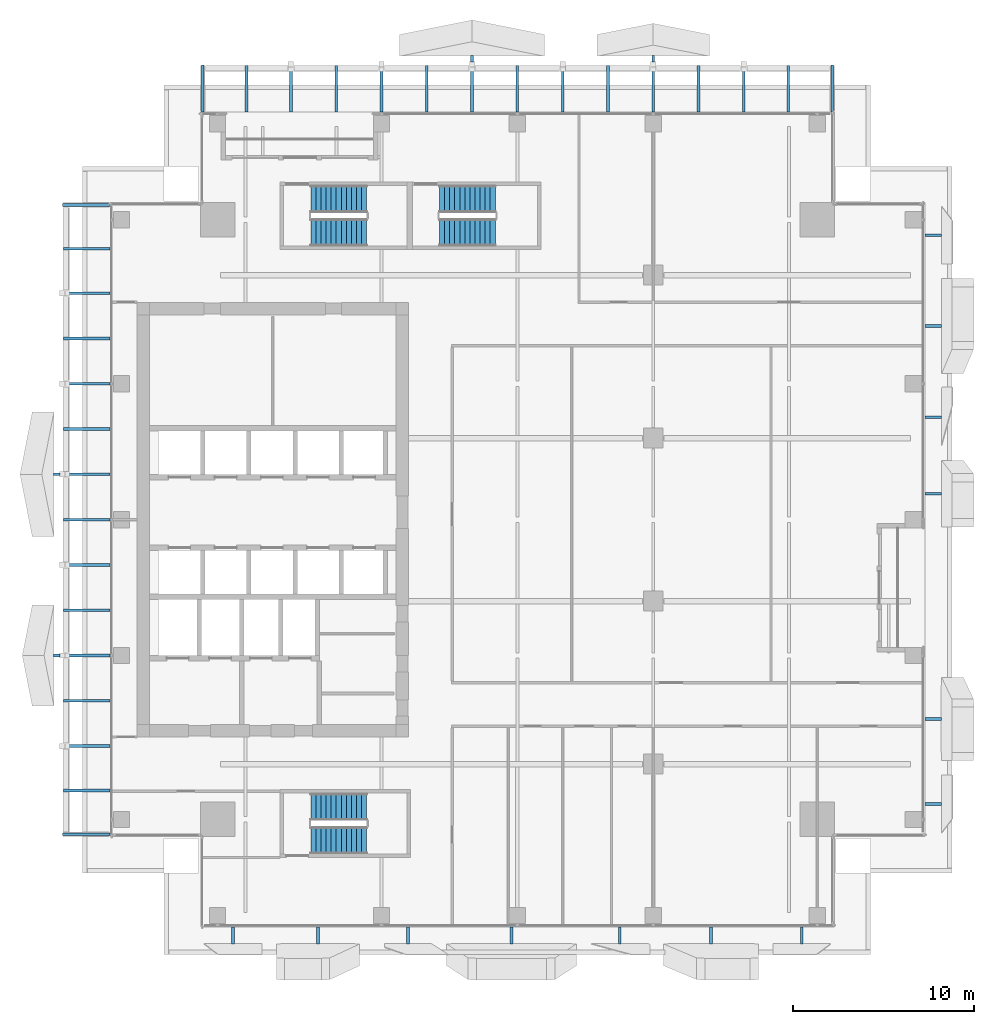
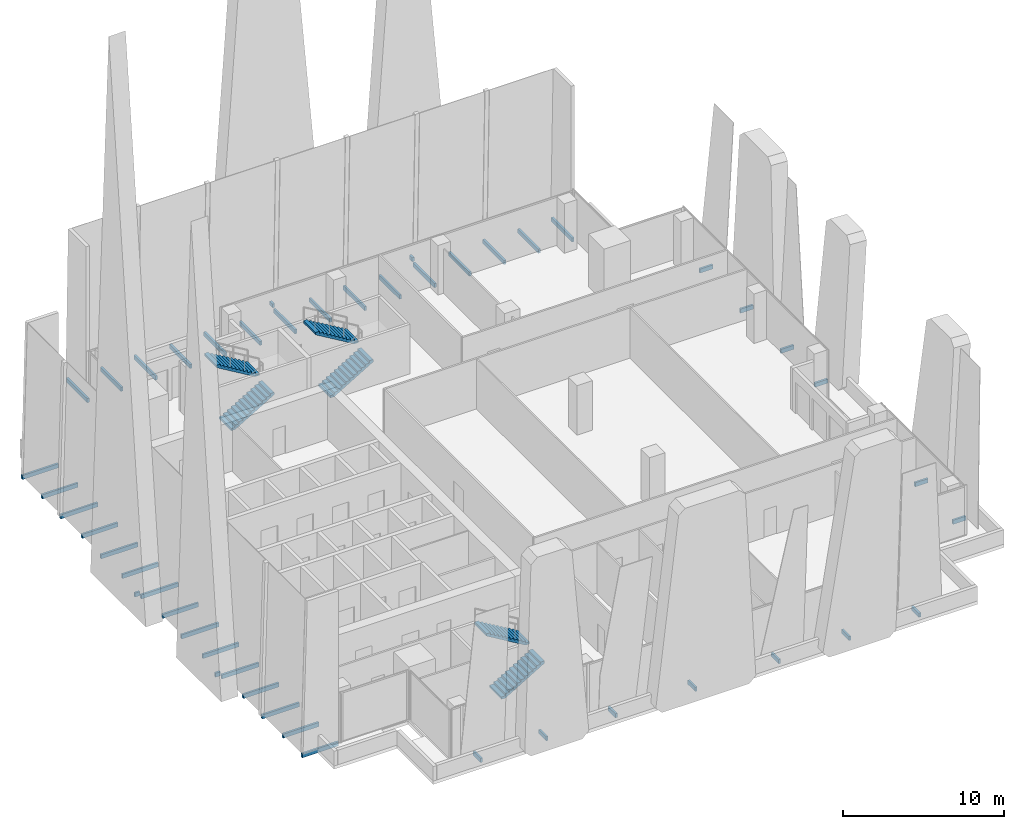
# One storey, part 29 of 33: 47 discrete accessories, 6 stair flights, 3 elements without a shape of their own.
"""IFC4 building model written with IfcOpenShell, lengths in metres."""

from ifc_helpers import new_model, si_unit, direction, frame, origin, origin_2d, place, context, subcontext, project, spatial, polyline, rectangle, outline, extrude, source, transform, mapped, material, type_object, element, aggregate, save


model = new_model("IFC4")

# Units and contexts
model_context = context("Model", 3, precision=1e-05, world=origin(), true_north=direction((0.0, 1.0)))
body_context = subcontext(model_context, "Body", "Model", "MODEL_VIEW")
ifc_project = project(units=[si_unit("LENGTHUNIT", "METRE"), si_unit("AREAUNIT", "SQUARE_METRE"), si_unit("VOLUMEUNIT", "CUBIC_METRE"), si_unit("PLANEANGLEUNIT", "RADIAN"), si_unit("MASSUNIT", "GRAM", prefix="KILO")], contexts=[model_context])

# Site, building, storey
site_placement = place(None, origin())
site = spatial("IfcSite", under=ifc_project, at=site_placement, CompositionType="ELEMENT")
building_placement = place(site_placement, origin())
building = spatial("IfcBuilding", under=site, at=building_placement, Name="Khomas Fold Tower", CompositionType="ELEMENT")
storey_placement = place(building_placement, frame((0.0, 0.0, 222.199951171875)))
storey = spatial("IfcBuildingStorey", under=building, at=storey_placement, Name="L49", CompositionType="ELEMENT", Elevation=222.199951171875)

# Stair, stair flights
ifc_material_1 = material(Name="Concrete C40/50", Category="concrete")
stair_type_1 = type_object("IfcStairType", Name="Stair ST1", PredefinedType="HALF_TURN_STAIR", material=ifc_material_1)
stair_1_placement = place(storey_placement, origin())
stair_1 = element("IfcStair", 1, at=stair_1_placement, inside=storey, type_object=stair_type_1, Name="L49 ST1", PredefinedType="HALF_TURN_STAIR")
ifc_material_2 = material(Name="Concrete C40/50", Category="concrete")
stair_flight_type_1 = type_object("IfcStairFlightType", Name="Stair flight 1500 ST1", PredefinedType="STRAIGHT", material=ifc_material_2)
shared_shape_1 = source(origin(), body_context, "Body", "SweptSolid", [
    extrude(outline(polyline([(0.0, 0.0), (0.0, 0.012939453125), (0.0, 0.025634765625), (0.0, 0.03857421875), (0.0, 0.05126953125), (0.0, 0.064208984375), (0.0, 0.076904296875), (0.0, 0.08984375), (0.0, 0.1025390625), (0.0, 0.115478515625), (0.0, 0.128173828125), (0.0, 0.14111328125), (0.0, 0.15380859375), (0.0, 0.166748046875), (0.280029296875, 0.166748046875), (0.280029296875, 0.333251953125), (0.56005859375, 0.333251953125), (0.56005859375, 0.5), (0.840087890625, 0.5), (0.840087890625, 0.666748046875), (1.1201171875, 0.666748046875), (1.1201171875, 0.833251953125), (1.39990234375, 0.833251953125), (1.39990234375, 1.0), (1.679931640625, 1.0), (1.679931640625, 1.166748046875), (1.9599609375, 1.166748046875), (1.9599609375, 1.333251953125), (2.239990234375, 1.333251953125), (2.239990234375, 1.5), (2.52001953125, 1.5), (2.52001953125, 1.666748046875), (2.800048828125, 1.666748046875), (2.800048828125, 1.833251953125), (3.080078125, 1.833251953125), (3.080078125, 2.0), (3.080078125, 1.973876953125), (3.080078125, 1.947509765625), (3.080078125, 1.92138671875), (3.080078125, 1.89501953125), (3.080078125, 1.868896484375), (3.080078125, 1.842529296875), (3.080078125, 1.81640625), (3.080078125, 1.7900390625), (3.080078125, 1.763916015625), (3.080078125, 1.737548828125), (3.080078125, 1.71142578125), (3.080078125, 1.68505859375), (3.080078125, 1.658935546875), (0.29296875, 0.0), (0.0, 0.0)])), frame((0.0, 0.75, 0.0), z_axis=(0.0, -1.0, 0.0), x_axis=(1.0, 0.0, 0.0)), (0.0, 0.0, 1.0), 1.5),
])
stair_flight_1_placement = place(storey_placement, frame((15.60009765625, 42.85009765625, 0.0), z_axis=(0.0, 0.0, 1.0), x_axis=(1.0, 0.0, 0.0)))
stair_flight_1 = element("IfcStairFlight", 2, at=stair_flight_1_placement, type_object=stair_flight_type_1, Name="ST1 flight 1", NumberOfRisers=12, NumberOfTreads=11, PredefinedType="STRAIGHT", RiserHeight=0.166666667, TreadLength=0.28, context=body_context, shape_type="MappedRepresentation", body=[
    mapped(shared_shape_1, transform((0.0, 0.0, 0.0))),
])
stair_flight_2_placement = place(storey_placement, frame((18.679931640625, 44.699951171875, 2.0), z_axis=(0.0, 0.0, 1.0), x_axis=(-1.0, 0.0, 0.0)))
stair_flight_2 = element("IfcStairFlight", 3, at=stair_flight_2_placement, type_object=stair_flight_type_1, Name="ST1 flight 2", NumberOfRisers=12, NumberOfTreads=11, PredefinedType="STRAIGHT", RiserHeight=0.166666667, TreadLength=0.28, context=body_context, shape_type="MappedRepresentation", body=[
    mapped(shared_shape_1, transform((0.0, 0.0, 0.0))),
])
aggregate(stair_1, [stair_flight_1, stair_flight_2])

ifc_material_3 = material(Name="Concrete C40/50", Category="concrete")
stair_type_2 = type_object("IfcStairType", Name="Stair ST2", PredefinedType="HALF_TURN_STAIR", material=ifc_material_3)
stair_2_placement = place(storey_placement, origin())
stair_2 = element("IfcStair", 4, at=stair_2_placement, inside=storey, type_object=stair_type_2, Name="L49 ST2", PredefinedType="HALF_TURN_STAIR")
ifc_material_4 = material(Name="Concrete C40/50", Category="concrete")
stair_flight_type_2 = type_object("IfcStairFlightType", Name="Stair flight 1500 ST2", PredefinedType="STRAIGHT", material=ifc_material_4)
stair_flight_3_placement = place(storey_placement, frame((15.60009765625, 9.300048828125, 0.0), z_axis=(0.0, 0.0, 1.0), x_axis=(1.0, 0.0, 0.0)))
stair_flight_3 = element("IfcStairFlight", 5, at=stair_flight_3_placement, type_object=stair_flight_type_2, Name="ST2 flight 1", NumberOfRisers=12, NumberOfTreads=11, PredefinedType="STRAIGHT", RiserHeight=0.166666667, TreadLength=0.28, context=body_context, shape_type="MappedRepresentation", body=[
    mapped(shared_shape_1, transform((0.0, 0.0, 0.0))),
])
stair_flight_4_placement = place(storey_placement, frame((18.679931640625, 11.14990234375, 2.0), z_axis=(0.0, 0.0, 1.0), x_axis=(-1.0, 0.0, 0.0)))
stair_flight_4 = element("IfcStairFlight", 6, at=stair_flight_4_placement, type_object=stair_flight_type_2, Name="ST2 flight 2", NumberOfRisers=12, NumberOfTreads=11, PredefinedType="STRAIGHT", RiserHeight=0.166666667, TreadLength=0.28, context=body_context, shape_type="MappedRepresentation", body=[
    mapped(shared_shape_1, transform((0.0, 0.0, 0.0))),
])
aggregate(stair_2, [stair_flight_3, stair_flight_4])

ifc_material_5 = material(Name="Concrete C40/50", Category="concrete")
stair_type_3 = type_object("IfcStairType", Name="Stair ST3", PredefinedType="HALF_TURN_STAIR", material=ifc_material_5)
stair_3_placement = place(storey_placement, origin())
stair_3 = element("IfcStair", 7, at=stair_3_placement, inside=storey, type_object=stair_type_3, Name="L49 ST3", PredefinedType="HALF_TURN_STAIR")
ifc_material_6 = material(Name="Concrete C40/50", Category="concrete")
stair_flight_type_3 = type_object("IfcStairFlightType", Name="Stair flight 1500 ST3", PredefinedType="STRAIGHT", material=ifc_material_6)
stair_flight_5_placement = place(storey_placement, frame((22.699951171875, 42.85009765625, 0.0), z_axis=(0.0, 0.0, 1.0), x_axis=(1.0, 0.0, 0.0)))
stair_flight_5 = element("IfcStairFlight", 8, at=stair_flight_5_placement, type_object=stair_flight_type_3, Name="ST3 flight 1", NumberOfRisers=12, NumberOfTreads=11, PredefinedType="STRAIGHT", RiserHeight=0.166666667, TreadLength=0.28, context=body_context, shape_type="MappedRepresentation", body=[
    mapped(shared_shape_1, transform((0.0, 0.0, 0.0))),
])
stair_flight_6_placement = place(storey_placement, frame((25.780029296875, 44.699951171875, 2.0), z_axis=(0.0, 0.0, 1.0), x_axis=(-1.0, 0.0, 0.0)))
stair_flight_6 = element("IfcStairFlight", 9, at=stair_flight_6_placement, type_object=stair_flight_type_3, Name="ST3 flight 2", NumberOfRisers=12, NumberOfTreads=11, PredefinedType="STRAIGHT", RiserHeight=0.166666667, TreadLength=0.28, context=body_context, shape_type="MappedRepresentation", body=[
    mapped(shared_shape_1, transform((0.0, 0.0, 0.0))),
])
aggregate(stair_3, [stair_flight_5, stair_flight_6])

# Discrete accessories
ifc_material_7 = material(Name="Stainless steel", Category="steel")
discrete_accessory_type = type_object("IfcDiscreteAccessoryType", Name="SK-Stainless steel stone bracket", PredefinedType="BRACKET", material=ifc_material_7)
shared_shape_2 = source(origin(), body_context, "Body", "SweptSolid", [
    extrude(rectangle(XDim=0.926513671875, YDim=0.14990234375, at=origin_2d()), origin(), (0.0, 0.0, 1.0), 0.31005859375),
])
for number, where, z_axis, x_axis, name in (
    (10, (15.99267578125, 4.03662109375, -0.25), (0.0, 0.0, 1.0), (0.0, -1.0, 0.0), "Stone bracket L49 SS03-1-1"),
    (11, (26.675048828125, 4.03662109375, -0.25), (0.0, 0.0, 1.0), (0.0, -1.0, 0.0), "Stone bracket L49 SS06-2-1"),
    (12, (37.686279296875, 4.03662109375, -0.25), (0.0, 0.0, 1.0), (0.0, -1.0, 0.0), "Stone bracket L49 SS09-3-1"),
    (13, (49.96337890625, 15.99267578125, -0.25), (0.0, 0.0, 1.0), (1.0, 0.0, 0.0), "Stone bracket L49 ES03-1-1"),
    (14, (49.96337890625, 28.43115234375, -0.25), (0.0, 0.0, 1.0), (1.0, 0.0, 0.0), "Stone bracket L49 ES06-2-1"),
    (15, (49.96337890625, 37.686279296875, -0.25), (0.0, 0.0, 1.0), (1.0, 0.0, 0.0), "Stone bracket L49 ES09-3-1"),
    (16, (11.30029296875, 4.03662109375, -0.25), (0.0, 0.0, 1.0), (0.0, -1.0, 0.0), "Stone bracket L49 SG098-1-1"),
    (17, (20.96240234375, 4.03662109375, -0.25), (0.0, 0.0, 1.0), (0.0, -1.0, 0.0), "Stone bracket L49 SG100-2-1"),
    (18, (32.655517578125, 4.03662109375, -0.25), (0.0, 0.0, 1.0), (0.0, -1.0, 0.0), "Stone bracket L49 SG102-3-1"),
    (19, (42.69970703125, 4.03662109375, -0.25), (0.0, 0.0, 1.0), (0.0, -1.0, 0.0), "Stone bracket L49 SG104-4-1"),
    (20, (49.96337890625, 11.30029296875, -0.25), (0.0, 0.0, 1.0), (1.0, 0.0, 0.0), "Stone bracket L49 EG098-1-1"),
    (21, (49.96337890625, 32.655517578125, -0.25), (0.0, 0.0, 1.0), (1.0, 0.0, 0.0), "Stone bracket L49 EG102-2-1"),
    (22, (49.96337890625, 42.69970703125, -0.25), (0.0, 0.0, 1.0), (1.0, 0.0, 0.0), "Stone bracket L49 EG104-3-1"),
):
    element("IfcDiscreteAccessory", number, at=place(storey_placement, frame(where, z_axis=z_axis, x_axis=x_axis)), inside=storey, type_object=discrete_accessory_type, Name=name, PredefinedType="BRACKET", context=body_context, shape_type="MappedRepresentation", body=[
        mapped(shared_shape_2, transform((0.0, 0.0, 0.0))),
    ])
shared_shape_3 = source(origin(), body_context, "Body", "SweptSolid", [
    extrude(rectangle(XDim=2.603515625, YDim=0.14990234375, at=origin_2d()), origin(), (0.0, 0.0, 1.0), 0.31005859375),
])
for number, where, z_axis, x_axis, name in (
    (23, (9.625, 50.8017578125, -0.25), (0.0, 0.0, 1.0), (0.0, 1.0, 0.0), "Stone bracket L49 PLNR1"),
    (24, (44.375, 50.8017578125, -0.25), (0.0, 0.0, 1.0), (0.0, 1.0, 0.0), "Stone bracket L49 PLNR2"),
    (25, (3.1982421875, 9.625, -0.25), (0.0, 0.0, 1.0), (-1.0, 0.0, 0.0), "Stone bracket L49 PLWR1"),
    (26, (3.1982421875, 44.375, -0.25), (0.0, 0.0, 1.0), (-1.0, 0.0, 0.0), "Stone bracket L49 PLWR2"),
):
    element("IfcDiscreteAccessory", number, at=place(storey_placement, frame(where, z_axis=z_axis, x_axis=x_axis)), inside=storey, type_object=discrete_accessory_type, Name=name, PredefinedType="BRACKET", context=body_context, shape_type="MappedRepresentation", body=[
        mapped(shared_shape_3, transform((0.0, 0.0, 0.0))),
    ])
shared_shape_4 = source(origin(), body_context, "Body", "SweptSolid", [
    extrude(rectangle(XDim=2.5634765625, YDim=0.14990234375, at=origin_2d()), origin(), (0.0, 0.0, 1.0), 0.31005859375),
])
for number, where, z_axis, x_axis, name in (
    (27, (12.050048828125, 50.78173828125, -0.25), (0.0, 0.0, 1.0), (0.0, 1.0, 0.0), "Stone bracket L49 PLNG01"),
    (28, (17.0, 50.78173828125, -0.25), (0.0, 0.0, 1.0), (0.0, 1.0, 0.0), "Stone bracket L49 PLNG03"),
    (29, (22.0, 50.78173828125, -0.25), (0.0, 0.0, 1.0), (0.0, 1.0, 0.0), "Stone bracket L49 PLNG05"),
    (30, (27.0, 50.78173828125, -0.25), (0.0, 0.0, 1.0), (0.0, 1.0, 0.0), "Stone bracket L49 PLNG07"),
    (31, (32.0, 50.78173828125, -0.25), (0.0, 0.0, 1.0), (0.0, 1.0, 0.0), "Stone bracket L49 PLNG09"),
    (32, (37.0, 50.78173828125, -0.25), (0.0, 0.0, 1.0), (0.0, 1.0, 0.0), "Stone bracket L49 PLNG11"),
    (33, (41.949951171875, 50.78173828125, -0.25), (0.0, 0.0, 1.0), (0.0, 1.0, 0.0), "Stone bracket L49 PLNG13"),
    (34, (3.21826171875, 12.050048828125, -0.25), (0.0, 0.0, 1.0), (-1.0, 0.0, 0.0), "Stone bracket L49 PLWG01"),
    (35, (3.21826171875, 17.0, -0.25), (0.0, 0.0, 1.0), (-1.0, 0.0, 0.0), "Stone bracket L49 PLWG03"),
    (36, (3.21826171875, 22.0, -0.25), (0.0, 0.0, 1.0), (-1.0, 0.0, 0.0), "Stone bracket L49 PLWG05"),
    (37, (3.21826171875, 27.0, -0.25), (0.0, 0.0, 1.0), (-1.0, 0.0, 0.0), "Stone bracket L49 PLWG07"),
    (38, (3.21826171875, 32.0, -0.25), (0.0, 0.0, 1.0), (-1.0, 0.0, 0.0), "Stone bracket L49 PLWG09"),
    (39, (3.21826171875, 37.0, -0.25), (0.0, 0.0, 1.0), (-1.0, 0.0, 0.0), "Stone bracket L49 PLWG11"),
    (40, (3.21826171875, 41.949951171875, -0.25), (0.0, 0.0, 1.0), (-1.0, 0.0, 0.0), "Stone bracket L49 PLWG13"),
):
    element("IfcDiscreteAccessory", number, at=place(storey_placement, frame(where, z_axis=z_axis, x_axis=x_axis)), inside=storey, type_object=discrete_accessory_type, Name=name, PredefinedType="BRACKET", context=body_context, shape_type="MappedRepresentation", body=[
        mapped(shared_shape_4, transform((0.0, 0.0, 0.0))),
    ])
shared_shape_5 = source(origin(), body_context, "Body", "SweptSolid", [
    extrude(rectangle(XDim=2.65869140625, YDim=0.14990234375, at=origin_2d()), origin(), (0.0, 0.0, 1.0), 0.31005859375),
])
for number, where, z_axis, x_axis, name in (
    (41, (14.5, 50.829345703125, -0.25), (0.0, 0.0, 1.0), (0.0, 1.0, 0.0), "Stone bracket L49 PLNM02"),
    (42, (19.5, 50.829345703125, -0.25), (0.0, 0.0, 1.0), (0.0, 1.0, 0.0), "Stone bracket L49 PLNM04"),
    (43, (24.5, 50.829345703125, -0.25), (0.0, 0.0, 1.0), (0.0, 1.0, 0.0), "Stone bracket L49 PLNM06"),
    (44, (29.5, 50.829345703125, -0.25), (0.0, 0.0, 1.0), (0.0, 1.0, 0.0), "Stone bracket L49 PLNM08"),
    (45, (34.5, 50.829345703125, -0.25), (0.0, 0.0, 1.0), (0.0, 1.0, 0.0), "Stone bracket L49 PLNM10"),
    (46, (39.5, 50.829345703125, -0.25), (0.0, 0.0, 1.0), (0.0, 1.0, 0.0), "Stone bracket L49 PLNM12"),
    (47, (3.170654296875, 14.5, -0.25), (0.0, 0.0, 1.0), (-1.0, 0.0, 0.0), "Stone bracket L49 PLWM02"),
    (48, (3.170654296875, 19.5, -0.25), (0.0, 0.0, 1.0), (-1.0, 0.0, 0.0), "Stone bracket L49 PLWM04"),
    (49, (3.170654296875, 24.5, -0.25), (0.0, 0.0, 1.0), (-1.0, 0.0, 0.0), "Stone bracket L49 PLWM06"),
    (50, (3.170654296875, 29.5, -0.25), (0.0, 0.0, 1.0), (-1.0, 0.0, 0.0), "Stone bracket L49 PLWM08"),
    (51, (3.170654296875, 34.5, -0.25), (0.0, 0.0, 1.0), (-1.0, 0.0, 0.0), "Stone bracket L49 PLWM10"),
    (52, (3.170654296875, 39.5, -0.25), (0.0, 0.0, 1.0), (-1.0, 0.0, 0.0), "Stone bracket L49 PLWM12"),
):
    element("IfcDiscreteAccessory", number, at=place(storey_placement, frame(where, z_axis=z_axis, x_axis=x_axis)), inside=storey, type_object=discrete_accessory_type, Name=name, PredefinedType="BRACKET", context=body_context, shape_type="MappedRepresentation", body=[
        mapped(shared_shape_5, transform((0.0, 0.0, 0.0))),
    ])
shared_shape_6 = source(origin(), body_context, "Body", "SweptSolid", [
    extrude(rectangle(XDim=0.360107421875, YDim=0.14990234375, at=origin_2d()), origin(), (0.0, 0.0, 1.0), 0.300048828125),
])
for number, where, z_axis, x_axis, name in (
    (53, (24.5, 52.432861328125, 0.0498046875), (0.0, 0.0, 1.0), (0.0, 1.0, 0.0), "Stone bracket L49 blade NZ4-1"),
    (54, (34.5, 52.432861328125, 0.0498046875), (0.0, 0.0, 1.0), (0.0, 1.0, 0.0), "Stone bracket L49 blade NZ4-2"),
    (55, (1.567138671875, 19.5, 0.0498046875), (0.0, 0.0, 1.0), (-1.0, 0.0, 0.0), "Stone bracket L49 blade WZ4-1"),
    (56, (1.567138671875, 29.5, 0.0498046875), (0.0, 0.0, 1.0), (-1.0, 0.0, 0.0), "Stone bracket L49 blade WZ4-2"),
):
    element("IfcDiscreteAccessory", number, at=place(storey_placement, frame(where, z_axis=z_axis, x_axis=x_axis)), inside=storey, type_object=discrete_accessory_type, Name=name, PredefinedType="BRACKET", context=body_context, shape_type="MappedRepresentation", body=[
        mapped(shared_shape_6, transform((0.0, 0.0, 0.0))),
    ])

save(model, "model.ifc")
